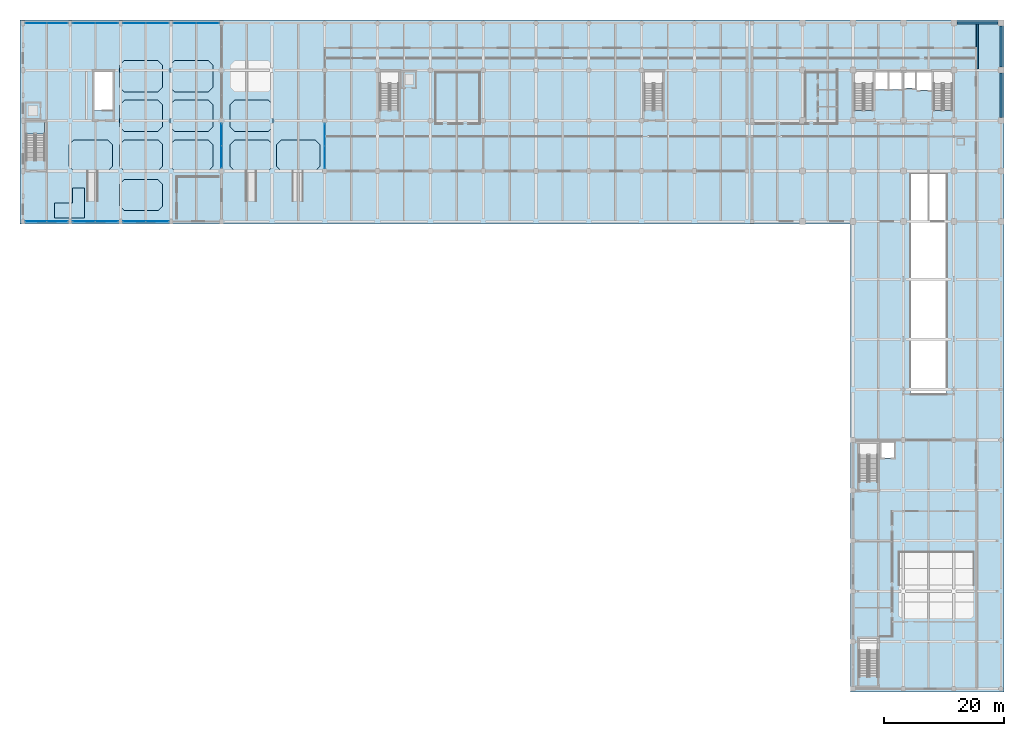
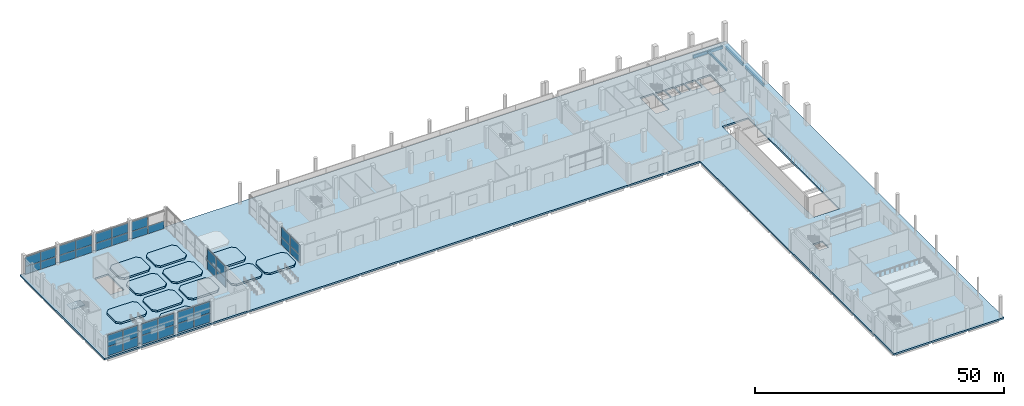
# One storey, part 18 of 34: 35 plates, 14 slabs, 4 beams, 10 elements without a shape of their own.
"""IFC4 building model written with IfcOpenShell, lengths in metres."""

from ifc_helpers import new_model, si_unit, direction, frame, origin, origin_2d, place, context, subcontext, project, spatial, polyline, rectangle, outline, extrude, material, layer, layer_set, material_profile, profile_set, type_object, element, aggregate, save


model = new_model("IFC4")

# Units and contexts
model_context = context("Model", 3, precision=1e-05, world=origin(), true_north=direction((0.0, 1.0)))
body_context = subcontext(model_context, "Body", "Model", "MODEL_VIEW")
ifc_project = project(units=[si_unit("LENGTHUNIT", "METRE"), si_unit("AREAUNIT", "SQUARE_METRE"), si_unit("VOLUMEUNIT", "CUBIC_METRE"), si_unit("PLANEANGLEUNIT", "RADIAN"), si_unit("MASSUNIT", "GRAM", prefix="KILO")], contexts=[model_context])

# Site, building, storey
site_placement = place(None, origin())
site = spatial("IfcSite", under=ifc_project, at=site_placement, CompositionType="ELEMENT")
building_placement = place(site_placement, origin())
building = spatial("IfcBuilding", under=site, at=building_placement, Name="Brinegate Botanical Conservatory", CompositionType="ELEMENT")
storey_placement = place(building_placement, origin())
storey = spatial("IfcBuildingStorey", under=building, at=storey_placement, Name="L01", CompositionType="ELEMENT", Elevation=0.0)

# Beams
ifc_material_1 = material(Name="Concrete C40/50", Category="concrete")
ifc_material_profile_1 = material_profile(ifc_material_1, rectangle(XDim=0.300048828125, YDim=0.550048828125, at=origin_2d()), Name="RC JST 300x550")
ifc_profile_set_1 = profile_set([ifc_material_profile_1], Name="Concrete C40/50")
beam_type_1 = type_object("IfcBeamType", Name="Beam_JS-C1", PredefinedType="JOIST", material=ifc_profile_set_1)
beam_1_placement = place(storey_placement, frame((159.52490234375, 103.824951171875, -0.679931640625), z_axis=(0.0, 1.0, 0.0), x_axis=(-1.0, 0.0, 0.0)))
element("IfcBeam", 1, at=beam_1_placement, inside=storey, type_object=beam_type_1, Name="Floor joist JS-C1 L01 bay 20.13", PredefinedType="JOIST", context=body_context, shape_type="SweptSolid", body=[
    extrude(rectangle(XDim=0.300048828125, YDim=0.550048828125, at=origin_2d()), origin(), (0.0, 0.0, 1.0), 7.449951171875),
])
ifc_material_profile_2 = material_profile(ifc_material_1, rectangle(XDim=0.35009765625, YDim=0.75, at=origin_2d()), Name="RC SPN 350x750")
ifc_profile_set_2 = profile_set([ifc_material_profile_2], Name="Concrete C40/50")
beam_type_2 = type_object("IfcBeamType", Name="Beam_SP-01", PredefinedType="SPANDREL", material=ifc_profile_set_2)
beam_2_placement = place(storey_placement, frame((156.10009765625, 111.449951171875, -0.780029296875), z_axis=(1.0, 0.0, 0.0), x_axis=(0.0, 1.0, 0.0)))
element("IfcBeam", 2, at=beam_2_placement, inside=storey, type_object=beam_type_2, Name="Beam SP-01 L01 P:20-21", PredefinedType="SPANDREL", context=body_context, shape_type="SweptSolid", body=[
    extrude(rectangle(XDim=0.35009765625, YDim=0.75, at=origin_2d()), origin(), (0.0, 0.0, 1.0), 6.849853515625),
])
beam_3_placement = place(storey_placement, frame((163.449951171875, 95.699951171875, -0.780029296875), z_axis=(0.0, 1.0, 0.0), x_axis=(-1.0, 0.0, 0.0)))
element("IfcBeam", 3, at=beam_3_placement, inside=storey, type_object=beam_type_2, Name="Beam SP-01 L01 21:M-N", PredefinedType="SPANDREL", context=body_context, shape_type="SweptSolid", body=[
    extrude(rectangle(XDim=0.35009765625, YDim=0.75, at=origin_2d()), origin(), (0.0, 0.0, 1.0), 7.400146484375),
])
beam_4_placement = place(storey_placement, frame((163.449951171875, 104.10009765625, -0.780029296875), z_axis=(0.0, 1.0, 0.0), x_axis=(-1.0, 0.0, 0.0)))
element("IfcBeam", 4, at=beam_4_placement, inside=storey, type_object=beam_type_2, Name="Beam SP-01 L01 21:N-P", PredefinedType="SPANDREL", context=body_context, shape_type="SweptSolid", body=[
    extrude(rectangle(XDim=0.35009765625, YDim=0.75, at=origin_2d()), origin(), (0.0, 0.0, 1.0), 6.849853515625),
])

# Curtain wall, plates
ifc_material_2 = material(Name="Thermally broken anodised aluminium AW-6063-T6", Category="aluminium")
curtain_wall_type_1 = type_object("IfcCurtainWallType", Name="CW_CW-V3", PredefinedType="USERDEFINED", material=ifc_material_2)
curtain_wall_1_placement = place(storey_placement, origin())
curtain_wall_1 = element("IfcCurtainWall", 5, at=curtain_wall_1_placement, inside=storey, type_object=curtain_wall_type_1, Name="Visitor west forecourt curtain wall L01.1", ObjectType="FACTORY CURTAIN WALL", PredefinedType="USERDEFINED")
ifc_material_3 = material(Name="Double-silver Low-E laminated safety glass", Category="glass")
ifc_layer_1 = layer(ifc_material_3, 0.028076171875, Name="Double-silver Low-E laminated safety glass", Category="glass")
ifc_layer_set_1 = layer_set([ifc_layer_1], Name="Double-silver Low-E laminated safety glass")
plate_type_1 = type_object("IfcPlateType", Name="Plate_PN-28", PredefinedType="CURTAIN_PANEL", material=ifc_layer_set_1)
plate_1_placement = place(storey_placement, frame((50.800048828125, 89.13623046875, 0.06494140625), z_axis=(0.0, 0.0, 1.0), x_axis=(0.0, 1.0, 0.0)))
plate_1 = element("IfcPlate", 6, at=plate_1_placement, type_object=plate_type_1, Name="CW-V3 panel 1.1", PredefinedType="CURTAIN_PANEL", context=body_context, shape_type="SweptSolid", body=[
    extrude(rectangle(XDim=3.66259765625, YDim=0.028076171875, at=origin_2d()), origin(), (0.0, 0.0, 1.0), 1.9404296875),
])
plate_2_placement = place(storey_placement, frame((50.800048828125, 89.13623046875, 2.070556640625), z_axis=(0.0, 0.0, 1.0), x_axis=(0.0, 1.0, 0.0)))
plate_2 = element("IfcPlate", 7, at=plate_2_placement, type_object=plate_type_1, Name="CW-V3 panel 1.2", PredefinedType="CURTAIN_PANEL", context=body_context, shape_type="SweptSolid", body=[
    extrude(rectangle(XDim=3.66259765625, YDim=0.028076171875, at=origin_2d()), origin(), (0.0, 0.0, 1.0), 2.39453125),
])
plate_3_placement = place(storey_placement, frame((50.800048828125, 92.86376953125, 0.06494140625), z_axis=(0.0, 0.0, 1.0), x_axis=(0.0, 1.0, 0.0)))
plate_3 = element("IfcPlate", 8, at=plate_3_placement, type_object=plate_type_1, Name="CW-V3 panel 2.1", PredefinedType="CURTAIN_PANEL", context=body_context, shape_type="SweptSolid", body=[
    extrude(rectangle(XDim=3.66259765625, YDim=0.028076171875, at=origin_2d()), origin(), (0.0, 0.0, 1.0), 1.9404296875),
])
plate_4_placement = place(storey_placement, frame((50.800048828125, 92.86376953125, 2.070556640625), z_axis=(0.0, 0.0, 1.0), x_axis=(0.0, 1.0, 0.0)))
plate_4 = element("IfcPlate", 9, at=plate_4_placement, type_object=plate_type_1, Name="CW-V3 panel 2.2", PredefinedType="CURTAIN_PANEL", context=body_context, shape_type="SweptSolid", body=[
    extrude(rectangle(XDim=3.66259765625, YDim=0.028076171875, at=origin_2d()), origin(), (0.0, 0.0, 1.0), 2.39453125),
])
aggregate(curtain_wall_1, [plate_1, plate_2, plate_3, plate_4])

curtain_wall_type_2 = type_object("IfcCurtainWallType", Name="CW_CW-V1", PredefinedType="USERDEFINED", material=ifc_material_2)
curtain_wall_2_placement = place(storey_placement, origin())
curtain_wall_2 = element("IfcCurtainWall", 10, at=curtain_wall_2_placement, inside=storey, type_object=curtain_wall_type_2, Name="Conservatory north curtain wall L01.1", ObjectType="FACTORY CURTAIN WALL", PredefinedType="USERDEFINED")
ifc_layer_2 = layer(ifc_material_3, 0.031982421875, Name="Double-silver Low-E laminated safety glass", Category="glass")
ifc_layer_set_2 = layer_set([ifc_layer_2], Name="Double-silver Low-E laminated safety glass")
plate_type_2 = type_object("IfcPlateType", Name="Plate_PN-32", PredefinedType="CURTAIN_PANEL", material=ifc_layer_set_2)
plate_5_placement = place(storey_placement, frame((2.69873046875, 111.449951171875, 0.06494140625), z_axis=(0.0, 0.0, 1.0), x_axis=(1.0, 0.0, 0.0)))
plate_5 = element("IfcPlate", 11, at=plate_5_placement, type_object=plate_type_2, Name="CW-V1 panel 1.1", PredefinedType="CURTAIN_PANEL", context=body_context, shape_type="SweptSolid", body=[
    extrude(rectangle(XDim=3.487548828125, YDim=0.031982421875, at=origin_2d()), origin(), (0.0, 0.0, 1.0), 1.8955078125),
])
plate_6_placement = place(storey_placement, frame((2.69873046875, 111.449951171875, 2.025390625), z_axis=(0.0, 0.0, 1.0), x_axis=(1.0, 0.0, 0.0)))
plate_6 = element("IfcPlate", 12, at=plate_6_placement, type_object=plate_type_2, Name="CW-V1 panel 1.2", PredefinedType="CURTAIN_PANEL", context=body_context, shape_type="SweptSolid", body=[
    extrude(rectangle(XDim=3.487548828125, YDim=0.031982421875, at=origin_2d()), origin(), (0.0, 0.0, 1.0), 2.339599609375),
])
plate_7_placement = place(storey_placement, frame((6.251220703125, 111.449951171875, 0.06494140625), z_axis=(0.0, 0.0, 1.0), x_axis=(1.0, 0.0, 0.0)))
plate_7 = element("IfcPlate", 13, at=plate_7_placement, type_object=plate_type_2, Name="CW-V1 panel 2.1", PredefinedType="CURTAIN_PANEL", context=body_context, shape_type="SweptSolid", body=[
    extrude(rectangle(XDim=3.487548828125, YDim=0.031982421875, at=origin_2d()), origin(), (0.0, 0.0, 1.0), 1.8955078125),
])
plate_8_placement = place(storey_placement, frame((6.251220703125, 111.449951171875, 2.025390625), z_axis=(0.0, 0.0, 1.0), x_axis=(1.0, 0.0, 0.0)))
plate_8 = element("IfcPlate", 14, at=plate_8_placement, type_object=plate_type_2, Name="CW-V1 panel 2.2", PredefinedType="CURTAIN_PANEL", context=body_context, shape_type="SweptSolid", body=[
    extrude(rectangle(XDim=3.487548828125, YDim=0.031982421875, at=origin_2d()), origin(), (0.0, 0.0, 1.0), 2.339599609375),
])
aggregate(curtain_wall_2, [plate_5, plate_6, plate_7, plate_8])

curtain_wall_3_placement = place(storey_placement, origin())
curtain_wall_3 = element("IfcCurtainWall", 15, at=curtain_wall_3_placement, inside=storey, type_object=curtain_wall_type_2, Name="Conservatory south curtain wall L01.1", ObjectType="FACTORY CURTAIN WALL", PredefinedType="USERDEFINED")
plate_9_placement = place(storey_placement, frame((6.251220703125, 78.39990234375, 0.06494140625), z_axis=(0.0, 0.0, 1.0), x_axis=(-1.0, 0.0, 0.0)))
plate_9 = element("IfcPlate", 16, at=plate_9_placement, type_object=plate_type_2, Name="CW-V1 panel 1.1", PredefinedType="CURTAIN_PANEL", context=body_context, shape_type="SweptSolid", body=[
    extrude(rectangle(XDim=3.487548828125, YDim=0.031982421875, at=origin_2d()), origin(), (0.0, 0.0, 1.0), 2.260498046875),
])
plate_10_placement = place(storey_placement, frame((6.251220703125, 78.39990234375, 2.390625), z_axis=(0.0, 0.0, 1.0), x_axis=(-1.0, 0.0, 0.0)))
plate_10 = element("IfcPlate", 17, at=plate_10_placement, type_object=plate_type_2, Name="CW-V1 panel 1.2", PredefinedType="CURTAIN_PANEL", context=body_context, shape_type="SweptSolid", body=[
    extrude(rectangle(XDim=3.487548828125, YDim=0.031982421875, at=origin_2d()), origin(), (0.0, 0.0, 1.0), 2.784423828125),
])
plate_11_placement = place(storey_placement, frame((2.69873046875, 78.39990234375, 0.06494140625), z_axis=(0.0, 0.0, 1.0), x_axis=(-1.0, 0.0, 0.0)))
plate_11 = element("IfcPlate", 18, at=plate_11_placement, type_object=plate_type_2, Name="CW-V1 panel 2.1", PredefinedType="CURTAIN_PANEL", context=body_context, shape_type="SweptSolid", body=[
    extrude(rectangle(XDim=3.487548828125, YDim=0.031982421875, at=origin_2d()), origin(), (0.0, 0.0, 1.0), 2.260498046875),
])
plate_12_placement = place(storey_placement, frame((2.69873046875, 78.39990234375, 2.390625), z_axis=(0.0, 0.0, 1.0), x_axis=(-1.0, 0.0, 0.0)))
plate_12 = element("IfcPlate", 19, at=plate_12_placement, type_object=plate_type_2, Name="CW-V1 panel 2.2", PredefinedType="CURTAIN_PANEL", context=body_context, shape_type="SweptSolid", body=[
    extrude(rectangle(XDim=3.487548828125, YDim=0.031982421875, at=origin_2d()), origin(), (0.0, 0.0, 1.0), 2.784423828125),
])
aggregate(curtain_wall_3, [plate_9, plate_10, plate_11, plate_12])

curtain_wall_4_placement = place(storey_placement, origin())
curtain_wall_4 = element("IfcCurtainWall", 20, at=curtain_wall_4_placement, inside=storey, type_object=curtain_wall_type_2, Name="Conservatory north curtain wall L01.2", ObjectType="FACTORY CURTAIN WALL", PredefinedType="USERDEFINED")
plate_13_placement = place(storey_placement, frame((10.686279296875, 111.449951171875, 0.06494140625), z_axis=(0.0, 0.0, 1.0), x_axis=(1.0, 0.0, 0.0)))
plate_13 = element("IfcPlate", 21, at=plate_13_placement, type_object=plate_type_2, Name="CW-V1 panel 1.1", PredefinedType="CURTAIN_PANEL", context=body_context, shape_type="SweptSolid", body=[
    extrude(rectangle(XDim=3.762451171875, YDim=0.031982421875, at=origin_2d()), origin(), (0.0, 0.0, 1.0), 1.8955078125),
])
plate_14_placement = place(storey_placement, frame((10.686279296875, 111.449951171875, 2.025390625), z_axis=(0.0, 0.0, 1.0), x_axis=(1.0, 0.0, 0.0)))
plate_14 = element("IfcPlate", 22, at=plate_14_placement, type_object=plate_type_2, Name="CW-V1 panel 1.2", PredefinedType="CURTAIN_PANEL", context=body_context, shape_type="SweptSolid", body=[
    extrude(rectangle(XDim=3.762451171875, YDim=0.031982421875, at=origin_2d()), origin(), (0.0, 0.0, 1.0), 2.339599609375),
])
plate_15_placement = place(storey_placement, frame((14.513671875, 111.449951171875, 0.06494140625), z_axis=(0.0, 0.0, 1.0), x_axis=(1.0, 0.0, 0.0)))
plate_15 = element("IfcPlate", 23, at=plate_15_placement, type_object=plate_type_2, Name="CW-V1 panel 2.1", PredefinedType="CURTAIN_PANEL", context=body_context, shape_type="SweptSolid", body=[
    extrude(rectangle(XDim=3.762451171875, YDim=0.031982421875, at=origin_2d()), origin(), (0.0, 0.0, 1.0), 1.8955078125),
])
plate_16_placement = place(storey_placement, frame((14.513671875, 111.449951171875, 2.025390625), z_axis=(0.0, 0.0, 1.0), x_axis=(1.0, 0.0, 0.0)))
plate_16 = element("IfcPlate", 24, at=plate_16_placement, type_object=plate_type_2, Name="CW-V1 panel 2.2", PredefinedType="CURTAIN_PANEL", context=body_context, shape_type="SweptSolid", body=[
    extrude(rectangle(XDim=3.762451171875, YDim=0.031982421875, at=origin_2d()), origin(), (0.0, 0.0, 1.0), 2.339599609375),
])
aggregate(curtain_wall_4, [plate_13, plate_14, plate_15, plate_16])

curtain_wall_5_placement = place(storey_placement, origin())
curtain_wall_5 = element("IfcCurtainWall", 25, at=curtain_wall_5_placement, inside=storey, type_object=curtain_wall_type_2, Name="Conservatory south curtain wall L01.2", ObjectType="FACTORY CURTAIN WALL", PredefinedType="USERDEFINED")
plate_17_placement = place(storey_placement, frame((14.513671875, 78.39990234375, 0.06494140625), z_axis=(0.0, 0.0, 1.0), x_axis=(-1.0, 0.0, 0.0)))
plate_17 = element("IfcPlate", 26, at=plate_17_placement, type_object=plate_type_2, Name="CW-V1 panel 1.1", PredefinedType="CURTAIN_PANEL", context=body_context, shape_type="SweptSolid", body=[
    extrude(rectangle(XDim=3.762451171875, YDim=0.031982421875, at=origin_2d()), origin(), (0.0, 0.0, 1.0), 2.260498046875),
])
plate_18_placement = place(storey_placement, frame((14.513671875, 78.39990234375, 2.390625), z_axis=(0.0, 0.0, 1.0), x_axis=(-1.0, 0.0, 0.0)))
plate_18 = element("IfcPlate", 27, at=plate_18_placement, type_object=plate_type_2, Name="CW-V1 panel 1.2", PredefinedType="CURTAIN_PANEL", context=body_context, shape_type="SweptSolid", body=[
    extrude(rectangle(XDim=3.762451171875, YDim=0.031982421875, at=origin_2d()), origin(), (0.0, 0.0, 1.0), 2.784423828125),
])
plate_19_placement = place(storey_placement, frame((10.686279296875, 78.39990234375, 0.06494140625), z_axis=(0.0, 0.0, 1.0), x_axis=(-1.0, 0.0, 0.0)))
plate_19 = element("IfcPlate", 28, at=plate_19_placement, type_object=plate_type_2, Name="CW-V1 panel 2.1", PredefinedType="CURTAIN_PANEL", context=body_context, shape_type="SweptSolid", body=[
    extrude(rectangle(XDim=3.762451171875, YDim=0.031982421875, at=origin_2d()), origin(), (0.0, 0.0, 1.0), 2.260498046875),
])
plate_20_placement = place(storey_placement, frame((10.686279296875, 78.39990234375, 2.390625), z_axis=(0.0, 0.0, 1.0), x_axis=(-1.0, 0.0, 0.0)))
plate_20 = element("IfcPlate", 29, at=plate_20_placement, type_object=plate_type_2, Name="CW-V1 panel 2.2", PredefinedType="CURTAIN_PANEL", context=body_context, shape_type="SweptSolid", body=[
    extrude(rectangle(XDim=3.762451171875, YDim=0.031982421875, at=origin_2d()), origin(), (0.0, 0.0, 1.0), 2.784423828125),
])
aggregate(curtain_wall_5, [plate_17, plate_18, plate_19, plate_20])

curtain_wall_6_placement = place(storey_placement, origin())
curtain_wall_6 = element("IfcCurtainWall", 30, at=curtain_wall_6_placement, inside=storey, type_object=curtain_wall_type_2, Name="Conservatory north curtain wall L01.3", ObjectType="FACTORY CURTAIN WALL", PredefinedType="USERDEFINED")
plate_21_placement = place(storey_placement, frame((19.086181640625, 111.449951171875, 0.06494140625), z_axis=(0.0, 0.0, 1.0), x_axis=(1.0, 0.0, 0.0)))
plate_21 = element("IfcPlate", 31, at=plate_21_placement, type_object=plate_type_2, Name="CW-V1 panel 1.1", PredefinedType="CURTAIN_PANEL", context=body_context, shape_type="SweptSolid", body=[
    extrude(rectangle(XDim=3.762451171875, YDim=0.031982421875, at=origin_2d()), origin(), (0.0, 0.0, 1.0), 1.8955078125),
])
plate_22_placement = place(storey_placement, frame((19.086181640625, 111.449951171875, 2.025390625), z_axis=(0.0, 0.0, 1.0), x_axis=(1.0, 0.0, 0.0)))
plate_22 = element("IfcPlate", 32, at=plate_22_placement, type_object=plate_type_2, Name="CW-V1 panel 1.2", PredefinedType="CURTAIN_PANEL", context=body_context, shape_type="SweptSolid", body=[
    extrude(rectangle(XDim=3.762451171875, YDim=0.031982421875, at=origin_2d()), origin(), (0.0, 0.0, 1.0), 2.339599609375),
])
plate_23_placement = place(storey_placement, frame((22.913818359375, 111.449951171875, 0.06494140625), z_axis=(0.0, 0.0, 1.0), x_axis=(1.0, 0.0, 0.0)))
plate_23 = element("IfcPlate", 33, at=plate_23_placement, type_object=plate_type_2, Name="CW-V1 panel 2.1", PredefinedType="CURTAIN_PANEL", context=body_context, shape_type="SweptSolid", body=[
    extrude(rectangle(XDim=3.762451171875, YDim=0.031982421875, at=origin_2d()), origin(), (0.0, 0.0, 1.0), 1.8955078125),
])
plate_24_placement = place(storey_placement, frame((22.913818359375, 111.449951171875, 2.025390625), z_axis=(0.0, 0.0, 1.0), x_axis=(1.0, 0.0, 0.0)))
plate_24 = element("IfcPlate", 34, at=plate_24_placement, type_object=plate_type_2, Name="CW-V1 panel 2.2", PredefinedType="CURTAIN_PANEL", context=body_context, shape_type="SweptSolid", body=[
    extrude(rectangle(XDim=3.762451171875, YDim=0.031982421875, at=origin_2d()), origin(), (0.0, 0.0, 1.0), 2.339599609375),
])
aggregate(curtain_wall_6, [plate_21, plate_22, plate_23, plate_24])

curtain_wall_7_placement = place(storey_placement, origin())
curtain_wall_7 = element("IfcCurtainWall", 35, at=curtain_wall_7_placement, inside=storey, type_object=curtain_wall_type_2, Name="Conservatory south curtain wall L01.3", ObjectType="FACTORY CURTAIN WALL", PredefinedType="USERDEFINED")
plate_25_placement = place(storey_placement, frame((22.913818359375, 78.39990234375, 0.06494140625), z_axis=(0.0, 0.0, 1.0), x_axis=(-1.0, 0.0, 0.0)))
plate_25 = element("IfcPlate", 36, at=plate_25_placement, type_object=plate_type_2, Name="CW-V1 panel 1.1", PredefinedType="CURTAIN_PANEL", context=body_context, shape_type="SweptSolid", body=[
    extrude(rectangle(XDim=3.762451171875, YDim=0.031982421875, at=origin_2d()), origin(), (0.0, 0.0, 1.0), 2.260498046875),
])
plate_26_placement = place(storey_placement, frame((22.913818359375, 78.39990234375, 2.390625), z_axis=(0.0, 0.0, 1.0), x_axis=(-1.0, 0.0, 0.0)))
plate_26 = element("IfcPlate", 37, at=plate_26_placement, type_object=plate_type_2, Name="CW-V1 panel 1.2", PredefinedType="CURTAIN_PANEL", context=body_context, shape_type="SweptSolid", body=[
    extrude(rectangle(XDim=3.762451171875, YDim=0.031982421875, at=origin_2d()), origin(), (0.0, 0.0, 1.0), 2.784423828125),
])
plate_27_placement = place(storey_placement, frame((19.086181640625, 78.39990234375, 0.06494140625), z_axis=(0.0, 0.0, 1.0), x_axis=(-1.0, 0.0, 0.0)))
plate_27 = element("IfcPlate", 38, at=plate_27_placement, type_object=plate_type_2, Name="CW-V1 panel 2.1", PredefinedType="CURTAIN_PANEL", context=body_context, shape_type="SweptSolid", body=[
    extrude(rectangle(XDim=3.762451171875, YDim=0.031982421875, at=origin_2d()), origin(), (0.0, 0.0, 1.0), 2.260498046875),
])
plate_28_placement = place(storey_placement, frame((19.086181640625, 78.39990234375, 2.390625), z_axis=(0.0, 0.0, 1.0), x_axis=(-1.0, 0.0, 0.0)))
plate_28 = element("IfcPlate", 39, at=plate_28_placement, type_object=plate_type_2, Name="CW-V1 panel 2.2", PredefinedType="CURTAIN_PANEL", context=body_context, shape_type="SweptSolid", body=[
    extrude(rectangle(XDim=3.762451171875, YDim=0.031982421875, at=origin_2d()), origin(), (0.0, 0.0, 1.0), 2.784423828125),
])
aggregate(curtain_wall_7, [plate_25, plate_26, plate_27, plate_28])

curtain_wall_8_placement = place(storey_placement, origin())
curtain_wall_8 = element("IfcCurtainWall", 40, at=curtain_wall_8_placement, inside=storey, type_object=curtain_wall_type_2, Name="Conservatory north curtain wall L01.4", ObjectType="FACTORY CURTAIN WALL", PredefinedType="USERDEFINED")
plate_29_placement = place(storey_placement, frame((27.486328125, 111.449951171875, 0.06494140625), z_axis=(0.0, 0.0, 1.0), x_axis=(1.0, 0.0, 0.0)))
plate_29 = element("IfcPlate", 41, at=plate_29_placement, type_object=plate_type_2, Name="CW-V1 panel 1.1", PredefinedType="CURTAIN_PANEL", context=body_context, shape_type="SweptSolid", body=[
    extrude(rectangle(XDim=3.762451171875, YDim=0.031982421875, at=origin_2d()), origin(), (0.0, 0.0, 1.0), 1.8955078125),
])
plate_30_placement = place(storey_placement, frame((27.486328125, 111.449951171875, 2.025390625), z_axis=(0.0, 0.0, 1.0), x_axis=(1.0, 0.0, 0.0)))
plate_30 = element("IfcPlate", 42, at=plate_30_placement, type_object=plate_type_2, Name="CW-V1 panel 1.2", PredefinedType="CURTAIN_PANEL", context=body_context, shape_type="SweptSolid", body=[
    extrude(rectangle(XDim=3.762451171875, YDim=0.031982421875, at=origin_2d()), origin(), (0.0, 0.0, 1.0), 2.339599609375),
])
plate_31_placement = place(storey_placement, frame((31.313720703125, 111.449951171875, 0.06494140625), z_axis=(0.0, 0.0, 1.0), x_axis=(1.0, 0.0, 0.0)))
plate_31 = element("IfcPlate", 43, at=plate_31_placement, type_object=plate_type_2, Name="CW-V1 panel 2.1", PredefinedType="CURTAIN_PANEL", context=body_context, shape_type="SweptSolid", body=[
    extrude(rectangle(XDim=3.762451171875, YDim=0.031982421875, at=origin_2d()), origin(), (0.0, 0.0, 1.0), 1.8955078125),
])
aggregate(curtain_wall_8, [plate_29, plate_30, plate_31])

curtain_wall_9_placement = place(storey_placement, origin())
curtain_wall_9 = element("IfcCurtainWall", 44, at=curtain_wall_9_placement, inside=storey, type_object=curtain_wall_type_2, Name="Conservatory east curtain wall L01.2", ObjectType="FACTORY CURTAIN WALL", PredefinedType="USERDEFINED")
plate_32_placement = place(storey_placement, frame((33.60009765625, 92.8388671875, 0.06494140625), z_axis=(0.0, 0.0, 1.0), x_axis=(0.0, -1.0, 0.0)))
plate_32 = element("IfcPlate", 45, at=plate_32_placement, type_object=plate_type_2, Name="CW-V1 panel 1.1", PredefinedType="CURTAIN_PANEL", context=body_context, shape_type="SweptSolid", body=[
    extrude(rectangle(XDim=3.612548828125, YDim=0.031982421875, at=origin_2d()), origin(), (0.0, 0.0, 1.0), 2.260498046875),
])
plate_33_placement = place(storey_placement, frame((33.60009765625, 92.8388671875, 2.390625), z_axis=(0.0, 0.0, 1.0), x_axis=(0.0, -1.0, 0.0)))
plate_33 = element("IfcPlate", 46, at=plate_33_placement, type_object=plate_type_2, Name="CW-V1 panel 1.2", PredefinedType="CURTAIN_PANEL", context=body_context, shape_type="SweptSolid", body=[
    extrude(rectangle(XDim=3.612548828125, YDim=0.031982421875, at=origin_2d()), origin(), (0.0, 0.0, 1.0), 2.784423828125),
])
plate_34_placement = place(storey_placement, frame((33.60009765625, 89.1611328125, 0.06494140625), z_axis=(0.0, 0.0, 1.0), x_axis=(0.0, -1.0, 0.0)))
plate_34 = element("IfcPlate", 47, at=plate_34_placement, type_object=plate_type_2, Name="CW-V1 panel 2.1", PredefinedType="CURTAIN_PANEL", context=body_context, shape_type="SweptSolid", body=[
    extrude(rectangle(XDim=3.612548828125, YDim=0.031982421875, at=origin_2d()), origin(), (0.0, 0.0, 1.0), 2.260498046875),
])
plate_35_placement = place(storey_placement, frame((33.60009765625, 89.1611328125, 2.390625), z_axis=(0.0, 0.0, 1.0), x_axis=(0.0, -1.0, 0.0)))
plate_35 = element("IfcPlate", 48, at=plate_35_placement, type_object=plate_type_2, Name="CW-V1 panel 2.2", PredefinedType="CURTAIN_PANEL", context=body_context, shape_type="SweptSolid", body=[
    extrude(rectangle(XDim=3.612548828125, YDim=0.031982421875, at=origin_2d()), origin(), (0.0, 0.0, 1.0), 2.784423828125),
])
aggregate(curtain_wall_9, [plate_32, plate_33, plate_34, plate_35])

# Slabs
ifc_layer_3 = layer(ifc_material_1, 0.419921875, Name="Concrete C40/50", Category="concrete")
ifc_layer_set_3 = layer_set([ifc_layer_3], Name="Concrete C40/50")
slab_type_1 = type_object("IfcSlabType", Name="Slab_SL-BD420", PredefinedType="FLOOR", material=ifc_layer_set_3)
slab_1_placement = place(storey_placement, origin())
element("IfcSlab", 49, at=slab_1_placement, inside=storey, type_object=slab_type_1, Name="Conservatory subtropical planting bed slab 1", PredefinedType="FLOOR", context=body_context, shape_type="SweptSolid", body=[
    extrude(outline(polyline([(17.39990234375, 80.199951171875), (23.0, 80.199951171875), (23.800048828125, 81.0), (23.800048828125, 84.60009765625), (23.0, 85.39990234375), (17.39990234375, 85.39990234375), (16.60009765625, 84.60009765625), (16.60009765625, 81.0), (17.39990234375, 80.199951171875)])), origin(), (0.0, 0.0, 1.0), 0.419921875),
])
slab_2_placement = place(storey_placement, origin())
element("IfcSlab", 50, at=slab_2_placement, inside=storey, type_object=slab_type_1, Name="Conservatory subtropical planting bed slab 2", PredefinedType="FLOOR", context=body_context, shape_type="SweptSolid", body=[
    extrude(outline(polyline([(17.39990234375, 86.800048828125), (23.0, 86.800048828125), (23.800048828125, 87.60009765625), (23.800048828125, 91.199951171875), (23.0, 92.0), (17.39990234375, 92.0), (16.60009765625, 91.199951171875), (16.60009765625, 87.60009765625), (17.39990234375, 86.800048828125)])), origin(), (0.0, 0.0, 1.0), 0.419921875),
])
slab_3_placement = place(storey_placement, origin())
element("IfcSlab", 51, at=slab_3_placement, inside=storey, type_object=slab_type_1, Name="Conservatory subtropical planting bed slab 3", PredefinedType="FLOOR", context=body_context, shape_type="SweptSolid", body=[
    extrude(outline(polyline([(17.39990234375, 93.39990234375), (23.0, 93.39990234375), (23.800048828125, 94.199951171875), (23.800048828125, 97.800048828125), (23.0, 98.60009765625), (17.39990234375, 98.60009765625), (16.60009765625, 97.800048828125), (16.60009765625, 94.199951171875), (17.39990234375, 93.39990234375)])), origin(), (0.0, 0.0, 1.0), 0.419921875),
])
slab_4_placement = place(storey_placement, origin())
element("IfcSlab", 52, at=slab_4_placement, inside=storey, type_object=slab_type_1, Name="Conservatory subtropical planting bed slab 4", PredefinedType="FLOOR", context=body_context, shape_type="SweptSolid", body=[
    extrude(outline(polyline([(17.39990234375, 100.0), (23.0, 100.0), (23.800048828125, 100.800048828125), (23.800048828125, 104.39990234375), (23.0, 105.199951171875), (17.39990234375, 105.199951171875), (16.60009765625, 104.39990234375), (16.60009765625, 100.800048828125), (17.39990234375, 100.0)])), origin(), (0.0, 0.0, 1.0), 0.419921875),
])
slab_5_placement = place(storey_placement, origin())
element("IfcSlab", 53, at=slab_5_placement, inside=storey, type_object=slab_type_1, Name="Conservatory subtropical planting bed slab 5", PredefinedType="FLOOR", context=body_context, shape_type="SweptSolid", body=[
    extrude(outline(polyline([(9.0, 86.800048828125), (14.60009765625, 86.800048828125), (15.39990234375, 87.60009765625), (15.39990234375, 91.199951171875), (14.60009765625, 92.0), (9.0, 92.0), (8.199951171875, 91.199951171875), (8.199951171875, 87.60009765625), (9.0, 86.800048828125)])), origin(), (0.0, 0.0, 1.0), 0.419921875),
])
slab_6_placement = place(storey_placement, origin())
element("IfcSlab", 54, at=slab_6_placement, inside=storey, type_object=slab_type_1, Name="Conservatory subtropical planting bed slab 6", PredefinedType="FLOOR", context=body_context, shape_type="SweptSolid", body=[
    extrude(outline(polyline([(25.800048828125, 86.800048828125), (31.39990234375, 86.800048828125), (32.199951171875, 87.60009765625), (32.199951171875, 91.199951171875), (31.39990234375, 92.0), (25.800048828125, 92.0), (25.0, 91.199951171875), (25.0, 87.60009765625), (25.800048828125, 86.800048828125)])), origin(), (0.0, 0.0, 1.0), 0.419921875),
])
slab_7_placement = place(storey_placement, origin())
element("IfcSlab", 55, at=slab_7_placement, inside=storey, type_object=slab_type_1, Name="Conservatory subtropical planting bed slab 7", PredefinedType="FLOOR", context=body_context, shape_type="SweptSolid", body=[
    extrude(outline(polyline([(25.800048828125, 93.39990234375), (31.39990234375, 93.39990234375), (32.199951171875, 94.199951171875), (32.199951171875, 97.800048828125), (31.39990234375, 98.60009765625), (25.800048828125, 98.60009765625), (25.0, 97.800048828125), (25.0, 94.199951171875), (25.800048828125, 93.39990234375)])), origin(), (0.0, 0.0, 1.0), 0.419921875),
])
slab_8_placement = place(storey_placement, origin())
element("IfcSlab", 56, at=slab_8_placement, inside=storey, type_object=slab_type_1, Name="Conservatory subtropical planting bed slab 8", PredefinedType="FLOOR", context=body_context, shape_type="SweptSolid", body=[
    extrude(outline(polyline([(25.800048828125, 100.0), (31.39990234375, 100.0), (32.199951171875, 100.800048828125), (32.199951171875, 104.39990234375), (31.39990234375, 105.199951171875), (25.800048828125, 105.199951171875), (25.0, 104.39990234375), (25.0, 100.800048828125), (25.800048828125, 100.0)])), origin(), (0.0, 0.0, 1.0), 0.419921875),
])
slab_9_placement = place(storey_placement, origin())
element("IfcSlab", 57, at=slab_9_placement, inside=storey, type_object=slab_type_1, Name="Conservatory subtropical planting bed slab 9", PredefinedType="FLOOR", context=body_context, shape_type="SweptSolid", body=[
    extrude(outline(polyline([(35.800048828125, 86.800048828125), (41.39990234375, 86.800048828125), (42.199951171875, 87.60009765625), (42.199951171875, 91.199951171875), (41.39990234375, 92.0), (35.800048828125, 92.0), (35.0, 91.199951171875), (35.0, 87.60009765625), (35.800048828125, 86.800048828125)])), origin(), (0.0, 0.0, 1.0), 0.419921875),
])
slab_10_placement = place(storey_placement, origin())
element("IfcSlab", 58, at=slab_10_placement, inside=storey, type_object=slab_type_1, Name="Conservatory subtropical planting bed slab 10", PredefinedType="FLOOR", context=body_context, shape_type="SweptSolid", body=[
    extrude(outline(polyline([(43.60009765625, 86.800048828125), (49.199951171875, 86.800048828125), (50.0, 87.60009765625), (50.0, 91.199951171875), (49.199951171875, 92.0), (43.60009765625, 92.0), (42.800048828125, 91.199951171875), (42.800048828125, 87.60009765625), (43.60009765625, 86.800048828125)])), origin(), (0.0, 0.0, 1.0), 0.419921875),
])
slab_11_placement = place(storey_placement, origin())
element("IfcSlab", 59, at=slab_11_placement, inside=storey, type_object=slab_type_1, Name="Conservatory subtropical planting bed slab 11", PredefinedType="FLOOR", context=body_context, shape_type="SweptSolid", body=[
    extrude(outline(polyline([(35.800048828125, 93.39990234375), (41.39990234375, 93.39990234375), (42.199951171875, 94.199951171875), (42.199951171875, 97.800048828125), (41.39990234375, 98.60009765625), (35.800048828125, 98.60009765625), (35.0, 97.800048828125), (35.0, 94.199951171875), (35.800048828125, 93.39990234375)])), origin(), (0.0, 0.0, 1.0), 0.419921875),
])
ifc_layer_4 = layer(ifc_material_1, 0.159912109375, Name="Concrete C40/50", Category="concrete")
ifc_layer_set_4 = layer_set([ifc_layer_4], Name="Concrete C40/50")
slab_type_2 = type_object("IfcSlabType", Name="Slab_SL-FL160", PredefinedType="FLOOR", material=ifc_layer_set_4)
slab_12_placement = place(storey_placement, origin())
element("IfcSlab", 60, at=slab_12_placement, inside=storey, type_object=slab_type_2, Name="Conservatory entrance botanical plinth slab", PredefinedType="FLOOR", context=body_context, shape_type="SweptSolid", body=[
    extrude(outline(polyline([(5.800048828125, 79.0), (10.800048828125, 79.0), (10.800048828125, 84.0), (8.800048828125, 84.0), (8.800048828125, 81.5), (5.800048828125, 81.5), (5.800048828125, 79.0)])), origin(), (0.0, 0.0, 1.0), 0.159912109375),
])
ifc_layer_5 = layer(ifc_material_1, 0.405029296875, Name="Concrete C40/50", Category="concrete")
ifc_layer_set_5 = layer_set([ifc_layer_5], Name="Concrete C40/50")
slab_type_3 = type_object("IfcSlabType", Name="Slab_SL-FL405", PredefinedType="FLOOR", material=ifc_layer_set_5)
slab_13_placement = place(storey_placement, frame((0.0, 0.0, -0.405029296875)))
element("IfcSlab", 61, at=slab_13_placement, inside=storey, type_object=slab_type_3, Name="Ground floor L01 structural slab", PredefinedType="FLOOR", context=body_context, shape_type="SweptSolid", body=[
    extrude(outline(polyline([(0.030029296875, 78.02001953125), (138.419921875, 78.02001953125), (138.419921875, 0.030029296875), (163.969970703125, 0.030029296875), (163.969970703125, 111.969970703125), (0.030029296875, 111.969970703125), (0.030029296875, 78.02001953125)]), holes=[polyline([(142.14990234375, 96.89990234375), (142.14990234375, 103.35009765625), (139.050048828125, 103.35009765625), (139.050048828125, 96.89990234375), (142.14990234375, 96.89990234375)]), polyline([(155.35009765625, 96.89990234375), (155.35009765625, 103.35009765625), (152.25, 103.35009765625), (152.25, 96.89990234375), (155.35009765625, 96.89990234375)]), polyline([(15.5, 96.89990234375), (15.5, 103.35009765625), (12.39990234375, 103.35009765625), (12.39990234375, 96.89990234375), (15.5, 96.89990234375)]), polyline([(142.550048828125, 100.39990234375), (144.60009765625, 100.39990234375), (144.60009765625, 103.300048828125), (142.550048828125, 103.300048828125), (142.550048828125, 100.39990234375)]), polyline([(144.85009765625, 100.39990234375), (146.89990234375, 100.39990234375), (146.89990234375, 103.300048828125), (144.85009765625, 103.300048828125), (144.85009765625, 100.39990234375)]), polyline([(147.14990234375, 100.60009765625), (149.199951171875, 100.60009765625), (149.199951171875, 103.300048828125), (147.14990234375, 103.300048828125), (147.14990234375, 100.60009765625)]), polyline([(149.449951171875, 100.300048828125), (151.85009765625, 100.300048828125), (151.85009765625, 103.300048828125), (149.449951171875, 103.300048828125), (149.449951171875, 100.300048828125)]), polyline([(143.5, 39.0), (145.699951171875, 39.0), (145.699951171875, 41.5), (143.5, 41.5), (143.5, 39.0)]), polyline([(148.39990234375, 49.60009765625), (154.39990234375, 49.60009765625), (154.39990234375, 86.39990234375), (148.39990234375, 86.39990234375), (148.39990234375, 49.60009765625)])]), origin(), (0.0, 0.0, 1.0), 0.405029296875),
])

# Stair, slab
stair_type = type_object("IfcStairType", Name="Stair_HT-5400", PredefinedType="HALF_TURN_STAIR", material=ifc_material_1)
stair_placement = place(storey_placement, origin())
stair = element("IfcStair", 62, at=stair_placement, inside=storey, type_object=stair_type, Name="L01 Conservatory Canopy Gallery Stair ST7", PredefinedType="HALF_TURN_STAIR")
ifc_layer_6 = layer(ifc_material_1, 0.199951171875, Name="Concrete C40/50", Category="concrete")
ifc_layer_set_6 = layer_set([ifc_layer_6], Name="Concrete C40/50")
slab_type_4 = type_object("IfcSlabType", Name="Slab_SL-LD200", PredefinedType="LANDING", material=ifc_layer_set_6)
slab_14_placement = place(storey_placement, frame((0.0, 0.0, 2.5)))
slab_14 = element("IfcSlab", 63, at=slab_14_placement, type_object=slab_type_4, Name="ST7 landing 1", PredefinedType="LANDING", context=body_context, shape_type="SweptSolid", body=[
    extrude(outline(polyline([(4.14990234375, 92.97998046875), (4.14990234375, 94.949951171875), (1.050048828125, 94.949951171875), (1.050048828125, 92.97998046875), (4.14990234375, 92.97998046875)])), origin(), (0.0, 0.0, 1.0), 0.199951171875),
])
aggregate(stair, [slab_14])

save(model, "model.ifc")
